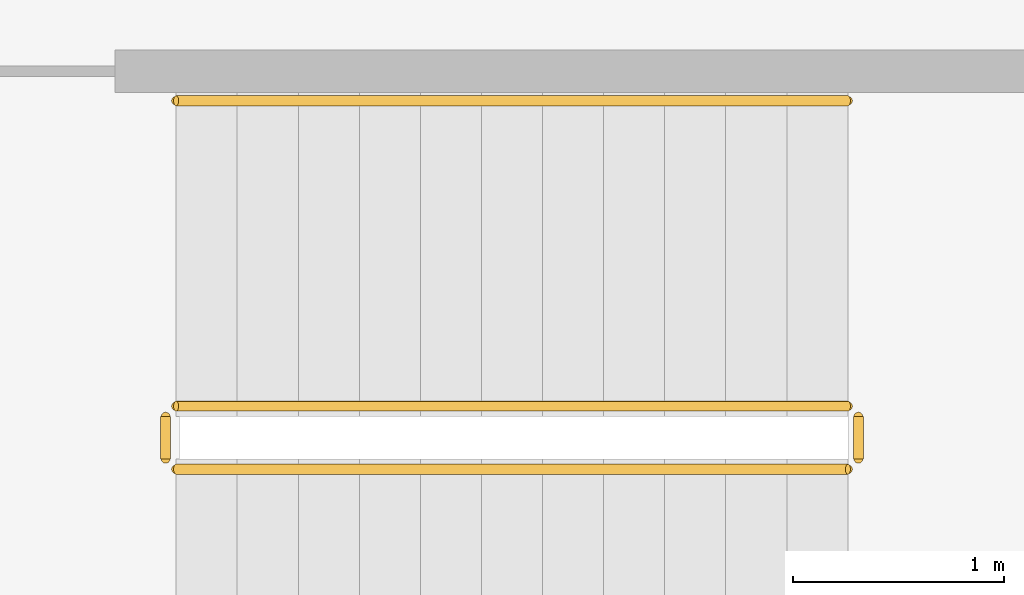
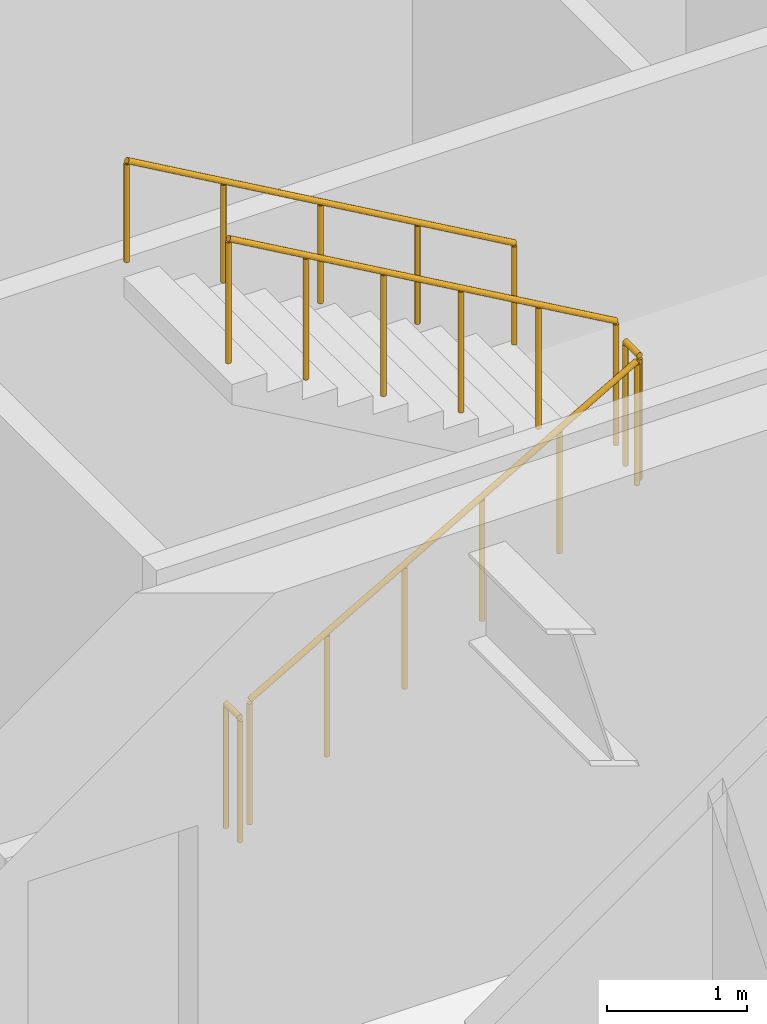
# One storey, part 19 of 20: 5 railings.
"""IFC4 building model written with IfcOpenShell, lengths in metres."""

import ifcopenshell
import ifcopenshell.guid

model = None  # the IFC model being written
_history = None  # IfcOwnerHistory: only IFC2X3 demands one
_inside = {}  # id of a spatial element -> (the spatial element, [elements in it])
_under = {}  # id of a project, library or spatial element -> (it, [spatial elements below it])
_declared = {}  # id of a project -> (the project, [libraries it declares])
_typed = {}  # id of a type object -> (the type object, [elements of that type])
_made_of = {}  # id of a material, layer set ... -> (it, [elements and type objects made of it])


def new_model(schema):
    """Start an empty IFC model of exactly this schema.

    Asked for "IFC4X3", IfcOpenShell would pick the latest addendum, in which some entities
    have other attributes; the version numbers below select the first issue.
    IFC2X3 requires an IfcOwnerHistory on every rooted entity: one is made here for all.
    """
    global model, _history
    if schema == "IFC4X3":
        model = ifcopenshell.file(schema_version=(4, 3, 0, 0))
    else:
        model = ifcopenshell.file(schema=schema)
    _inside.clear()
    _under.clear()
    _declared.clear()
    _typed.clear()
    _made_of.clear()
    _history = None
    if model.schema == "IFC2X3":
        org = make("IfcOrganization", Name="unknown")
        user = make(
            "IfcPersonAndOrganization",
            ThePerson=make("IfcPerson", FamilyName="unknown"),
            TheOrganization=org,
        )
        app = make(
            "IfcApplication",
            ApplicationDeveloper=org,
            Version="unknown",
            ApplicationFullName="unknown",
            ApplicationIdentifier="unknown",
        )
        _history = make(
            "IfcOwnerHistory",
            OwningUser=user,
            OwningApplication=app,
            ChangeAction="ADDED",
            CreationDate=0,
        )
    return model


def make(cls, **values):
    """One entity of the class cls with the attributes given. An attribute that is None is left unset."""
    return model.create_entity(
        cls, **{name: value for name, value in values.items() if value is not None}
    )


def rooted(cls, **values):
    """An entity with a GlobalId (a new one), such as an element, a storey or a relation."""
    return make(cls, GlobalId=ifcopenshell.guid.new(), OwnerHistory=_history, **values)


def si_unit(unit_type, name, prefix=None):
    """IfcSIUnit, for example si_unit("LENGTHUNIT", "METRE", prefix="MILLI")."""
    return make("IfcSIUnit", UnitType=unit_type, Prefix=prefix, Name=name)


def assignment(units):
    """IfcUnitAssignment: the units of a project."""
    return None if units is None else make("IfcUnitAssignment", Units=units)


def point(xyz):
    """IfcCartesianPoint."""
    return None if xyz is None else make("IfcCartesianPoint", Coordinates=xyz)


def direction(xyz):
    """IfcDirection."""
    return None if xyz is None else make("IfcDirection", DirectionRatios=xyz)


def frame(location, z_axis=None, x_axis=None):
    """IfcAxis2Placement3D, a coordinate frame: its origin and axes. An axis left out is left unset."""
    return make(
        "IfcAxis2Placement3D",
        Location=point(location),
        Axis=direction(z_axis),
        RefDirection=direction(x_axis),
    )


def frame_2d(location, x_axis=None):
    """IfcAxis2Placement2D, a coordinate frame in the plane: its origin and x axis."""
    return make(
        "IfcAxis2Placement2D", Location=point(location), RefDirection=direction(x_axis)
    )


def origin():
    """The frame at (0, 0, 0) with its axes left unset."""
    return frame((0.0, 0.0, 0.0))


def origin_2d():
    """The frame at (0, 0) in the plane with its x axis left unset."""
    return frame_2d((0.0, 0.0))


def place(relative_to, where):
    """IfcLocalPlacement: puts the frame where relative to a parent placement (None: the world)."""
    return make(
        "IfcLocalPlacement", PlacementRelTo=relative_to, RelativePlacement=where
    )


def context(
    kind, dimensions, precision=None, world=None, true_north=None, identifier=None
):
    """IfcGeometricRepresentationContext, for example the 3D "Model" context."""
    return make(
        "IfcGeometricRepresentationContext",
        ContextIdentifier=identifier,
        ContextType=kind,
        CoordinateSpaceDimension=dimensions,
        Precision=precision,
        WorldCoordinateSystem=world,
        TrueNorth=true_north,
    )


def subcontext(parent, identifier, kind, view, scale=None):
    """IfcGeometricRepresentationSubContext, for example "Body" below "Model"."""
    return make(
        "IfcGeometricRepresentationSubContext",
        ContextIdentifier=identifier,
        ContextType=kind,
        ParentContext=parent,
        TargetScale=scale,
        TargetView=view,
    )


def project(units=None, contexts=None):
    """IfcProject with its units and contexts."""
    return rooted(
        "IfcProject",
        Name="project",
        RepresentationContexts=contexts,
        UnitsInContext=assignment(units),
    )


def spatial(cls, under=None, at=None, **own):
    """A site, building, storey or space (cls), placed at a placement, below another one or the project."""
    s = rooted(cls, ObjectPlacement=at, **own)
    if under is not None:
        _under.setdefault(under.id(), (under, []))[1].append(s)
    return s


def profile(cls, at=None, kind="AREA", **sizes):
    """A parametric profile (cls). Its sizes go by their IFC names, for example OverallWidth=200.0."""
    return make(cls, ProfileType=kind, Position=at, **sizes)


def circle(**sizes):
    """IfcCircleProfileDef."""
    return profile("IfcCircleProfileDef", **sizes)


def extrude(swept, where, along, depth):
    """IfcExtrudedAreaSolid: the profile swept, set in the frame where, extruded along a direction by depth."""
    return make(
        "IfcExtrudedAreaSolid",
        SweptArea=swept,
        Position=where,
        ExtrudedDirection=direction(along),
        Depth=depth,
    )


def shape(context_of_items, identifier, shape_type, items):
    """IfcShapeRepresentation: the items that make up one representation, for example the "Body"."""
    return make(
        "IfcShapeRepresentation",
        ContextOfItems=context_of_items,
        RepresentationIdentifier=identifier,
        RepresentationType=shape_type,
        Items=items,
    )


def material(Name=None, Category=None):
    """IfcMaterial."""
    return make("IfcMaterial", Name=Name, Category=Category)


def made_of(thing, what):
    """Note that an element or type object is made of a material, layer set ...; save() writes the relation."""
    if what is not None:
        _made_of.setdefault(what.id(), (what, []))[1].append(thing)
    return thing


def type_object(cls, material=None, **own):
    """A type object (cls), such as IfcWallType, which elements share."""
    return made_of(rooted(cls, **own), material)


def element(
    cls,
    number,
    at=None,
    inside=None,
    cuts=None,
    type_object=None,
    material=None,
    context=None,
    identifier="Body",
    shape_type=None,
    held_by="IfcProductDefinitionShape",
    body=None,
    shapes=None,
    **own,
):
    """One element of the class cls, such as IfcWall. Its Tag is "e" and its number.

    at: its placement. inside: the storey or other place that contains it. cuts: it is an
    opening in that element (IfcRelVoidsElement). A single representation is given by context,
    identifier, shape_type and body (its items); several are given by shapes. held_by: the class
    of the entity that holds the representations. save() writes the other relations.
    """
    e = rooted(cls, Tag="e%d" % number, ObjectPlacement=at, **own)
    if body is not None:
        shapes = [shape(context, identifier, shape_type, body)]
    if shapes is not None:
        e.Representation = make(held_by, Representations=shapes)
    if inside is not None:
        _inside.setdefault(inside.id(), (inside, []))[1].append(e)
    if cuts is not None:
        rooted(
            "IfcRelVoidsElement", RelatingBuildingElement=cuts, RelatedOpeningElement=e
        )
    if type_object is not None:
        _typed.setdefault(type_object.id(), (type_object, []))[1].append(e)
    return made_of(e, material)


def aggregate(whole, parts):
    """IfcRelAggregates: a whole, such as a stair, and the parts it consists of."""
    return rooted("IfcRelAggregates", RelatingObject=whole, RelatedObjects=parts)


def save(model, path):
    """Write the relations noted so far, then the file.

    IfcRelAggregates (storeys below a building ...), IfcRelContainedInSpatialStructure (elements
    in a storey), IfcRelDefinesByType, IfcRelAssociatesMaterial and IfcRelDeclares: one each for
    every whole, place, type object, material and project.
    """
    for whole, parts in _under.values():
        aggregate(whole, parts)
    for where, things in _inside.values():
        rooted(
            "IfcRelContainedInSpatialStructure",
            RelatedElements=things,
            RelatingStructure=where,
        )
    for kind, things in _typed.values():
        rooted("IfcRelDefinesByType", RelatedObjects=things, RelatingType=kind)
    for what, things in _made_of.values():
        rooted("IfcRelAssociatesMaterial", RelatedObjects=things, RelatingMaterial=what)
    for by, libraries in _declared.values():
        rooted("IfcRelDeclares", RelatingContext=by, RelatedDefinitions=libraries)
    model.write(path)


model = new_model("IFC4")

# Units and contexts
model_context = context("Model", 3, precision=1e-05, world=origin(), true_north=direction((0.0, 1.0)))
body_context = subcontext(model_context, "Body", "Model", "MODEL_VIEW")
ifc_project = project(units=[si_unit("LENGTHUNIT", "METRE"), si_unit("AREAUNIT", "SQUARE_METRE"), si_unit("VOLUMEUNIT", "CUBIC_METRE"), si_unit("PLANEANGLEUNIT", "RADIAN"), si_unit("MASSUNIT", "GRAM", prefix="KILO")], contexts=[model_context])

# Site, building, storey
site_placement = place(None, origin())
site = spatial("IfcSite", under=ifc_project, at=site_placement, CompositionType="ELEMENT")
building_placement = place(site_placement, origin())
building = spatial("IfcBuilding", under=site, at=building_placement, Name="Putna Gate Headquarters", CompositionType="ELEMENT")
storey_placement = place(building_placement, frame((0.0, 0.0, 290.39990234375)))
storey = spatial("IfcBuildingStorey", under=building, at=storey_placement, Name="L73", CompositionType="ELEMENT", Elevation=290.39990234375)

# Railings
ifc_material_1 = material(Name="Powder-coated steel stair guardrail", Category="steel")
railing_type_1 = type_object("IfcRailingType", Name="RAIL-STAIR-GUARD-1100", PredefinedType="GUARDRAIL", material=ifc_material_1)
railing_1_placement = place(storey_placement, frame((57.89990234375, 21.10009765625, 0.166748046875)))
element("IfcRailing", 1, at=railing_1_placement, inside=storey, type_object=railing_type_1, Name="L73 ST2 stair guard 1", PredefinedType="GUARDRAIL", context=body_context, shape_type="SweptSolid", body=[
    extrude(circle(Radius=0.02392578125, at=origin_2d()), frame((0.0, 0.0, 1.076171875), z_axis=(0.8670360191, 0.0, 0.498245463184), x_axis=(0.0, 1.0, 0.0)), (0.0, 0.0, 1.0), 3.679443359375),
    extrude(circle(Radius=0.02099609375, at=origin_2d()), origin(), (0.0, 0.0, 1.0), 1.052001953125),
    extrude(circle(Radius=0.02099609375, at=origin_2d()), frame((0.637939453125, 0.0, 0.36669921875)), (0.0, 0.0, 1.0), 1.052001953125),
    extrude(circle(Radius=0.02099609375, at=origin_2d()), frame((1.276123046875, 0.0, 0.7333984375)), (0.0, 0.0, 1.0), 1.052001953125),
    extrude(circle(Radius=0.02099609375, at=origin_2d()), frame((1.9140625, 0.0, 1.099853515625)), (0.0, 0.0, 1.0), 1.052001953125),
    extrude(circle(Radius=0.02099609375, at=origin_2d()), frame((2.55224609375, 0.0, 1.466552734375)), (0.0, 0.0, 1.0), 1.052001953125),
    extrude(circle(Radius=0.02099609375, at=origin_2d()), frame((3.190185546875, 0.0, 1.833251953125)), (0.0, 0.0, 1.0), 1.052001953125),
])
railing_2_placement = place(storey_placement, frame((61.139892578125, 21.14990234375, 2.0)))
element("IfcRailing", 2, at=railing_2_placement, inside=storey, type_object=railing_type_1, Name="L73 ST2 stair guard 2", PredefinedType="GUARDRAIL", context=body_context, shape_type="SweptSolid", body=[
    extrude(circle(Radius=0.02392578125, at=origin_2d()), frame((0.0, 0.0, 1.076171875), z_axis=(0.0, 1.0, 0.0), x_axis=(-1.0, 0.0, 0.0)), (0.0, 0.0, 1.0), 0.2001953125),
    extrude(circle(Radius=0.02099609375, at=origin_2d()), origin(), (0.0, 0.0, 1.0), 1.052001953125),
    extrude(circle(Radius=0.02099609375, at=origin_2d()), frame((0.0, 0.2001953125, 0.0)), (0.0, 0.0, 1.0), 1.052001953125),
])
railing_3_placement = place(storey_placement, frame((61.090087890625, 21.39990234375, 2.166748046875)))
element("IfcRailing", 3, at=railing_3_placement, inside=storey, type_object=railing_type_1, Name="L73 ST2 stair guard 3", PredefinedType="GUARDRAIL", context=body_context, shape_type="SweptSolid", body=[
    extrude(circle(Radius=0.02392578125, at=origin_2d()), frame((0.0, 0.0, 1.076171875), z_axis=(-0.8670360191, 0.0, 0.498245463184), x_axis=(0.0, -1.0, 0.0)), (0.0, 0.0, 1.0), 3.679443359375),
    extrude(circle(Radius=0.02099609375, at=origin_2d()), origin(), (0.0, 0.0, 1.0), 1.052001953125),
    extrude(circle(Radius=0.02099609375, at=origin_2d()), frame((-0.637939453125, 0.0, 0.36669921875)), (0.0, 0.0, 1.0), 1.052001953125),
    extrude(circle(Radius=0.02099609375, at=origin_2d()), frame((-1.276123046875, 0.0, 0.7333984375)), (0.0, 0.0, 1.0), 1.052001953125),
    extrude(circle(Radius=0.02099609375, at=origin_2d()), frame((-1.9140625, 0.0, 1.099853515625)), (0.0, 0.0, 1.0), 1.052001953125),
    extrude(circle(Radius=0.02099609375, at=origin_2d()), frame((-2.55224609375, 0.0, 1.466552734375)), (0.0, 0.0, 1.0), 1.052001953125),
    extrude(circle(Radius=0.02099609375, at=origin_2d()), frame((-3.190185546875, 0.0, 1.833251953125)), (0.0, 0.0, 1.0), 1.052001953125),
])
railing_4_placement = place(storey_placement, frame((57.85009765625, 21.14990234375, 0.0)))
element("IfcRailing", 4, at=railing_4_placement, inside=storey, type_object=railing_type_1, Name="L73 ST2 stair guard 4", PredefinedType="GUARDRAIL", context=body_context, shape_type="SweptSolid", body=[
    extrude(circle(Radius=0.02392578125, at=origin_2d()), frame((0.0, 0.0, 1.076171875), z_axis=(0.0, 1.0, 0.0), x_axis=(-1.0, 0.0, 0.0)), (0.0, 0.0, 1.0), 0.2001953125),
    extrude(circle(Radius=0.02099609375, at=origin_2d()), origin(), (0.0, 0.0, 1.0), 1.052001953125),
    extrude(circle(Radius=0.02099609375, at=origin_2d()), frame((0.0, 0.2001953125, 0.0)), (0.0, 0.0, 1.0), 1.052001953125),
])
ifc_material_2 = material(Name="Brushed stainless steel handrail", Category="steel")
railing_type_2 = type_object("IfcRailingType", Name="RAIL-STAIR-HAND-900", PredefinedType="HANDRAIL", material=ifc_material_2)
railing_5_placement = place(storey_placement, frame((61.090087890625, 22.85009765625, 2.166748046875)))
element("IfcRailing", 5, at=railing_5_placement, inside=storey, type_object=railing_type_2, Name="L73 ST2 stair handrail 2", PredefinedType="HANDRAIL", context=body_context, shape_type="SweptSolid", body=[
    extrude(circle(Radius=0.02392578125, at=origin_2d()), frame((0.0, 0.0, 0.8759765625), z_axis=(-0.8670360191, 0.0, 0.498245463184), x_axis=(0.0, -1.0, 0.0)), (0.0, 0.0, 1.0), 3.679443359375),
    extrude(circle(Radius=0.02099609375, at=origin_2d()), origin(), (0.0, 0.0, 1.0), 0.851806640625),
    extrude(circle(Radius=0.02099609375, at=origin_2d()), frame((-0.797607421875, 0.0, 0.458251953125)), (0.0, 0.0, 1.0), 0.851806640625),
    extrude(circle(Radius=0.02099609375, at=origin_2d()), frame((-1.59521484375, 0.0, 0.91650390625)), (0.0, 0.0, 1.0), 0.851806640625),
    extrude(circle(Radius=0.02099609375, at=origin_2d()), frame((-2.392578125, 0.0, 1.375)), (0.0, 0.0, 1.0), 0.851806640625),
    extrude(circle(Radius=0.02099609375, at=origin_2d()), frame((-3.190185546875, 0.0, 1.833251953125)), (0.0, 0.0, 1.0), 0.851806640625),
])

save(model, "model.ifc")
